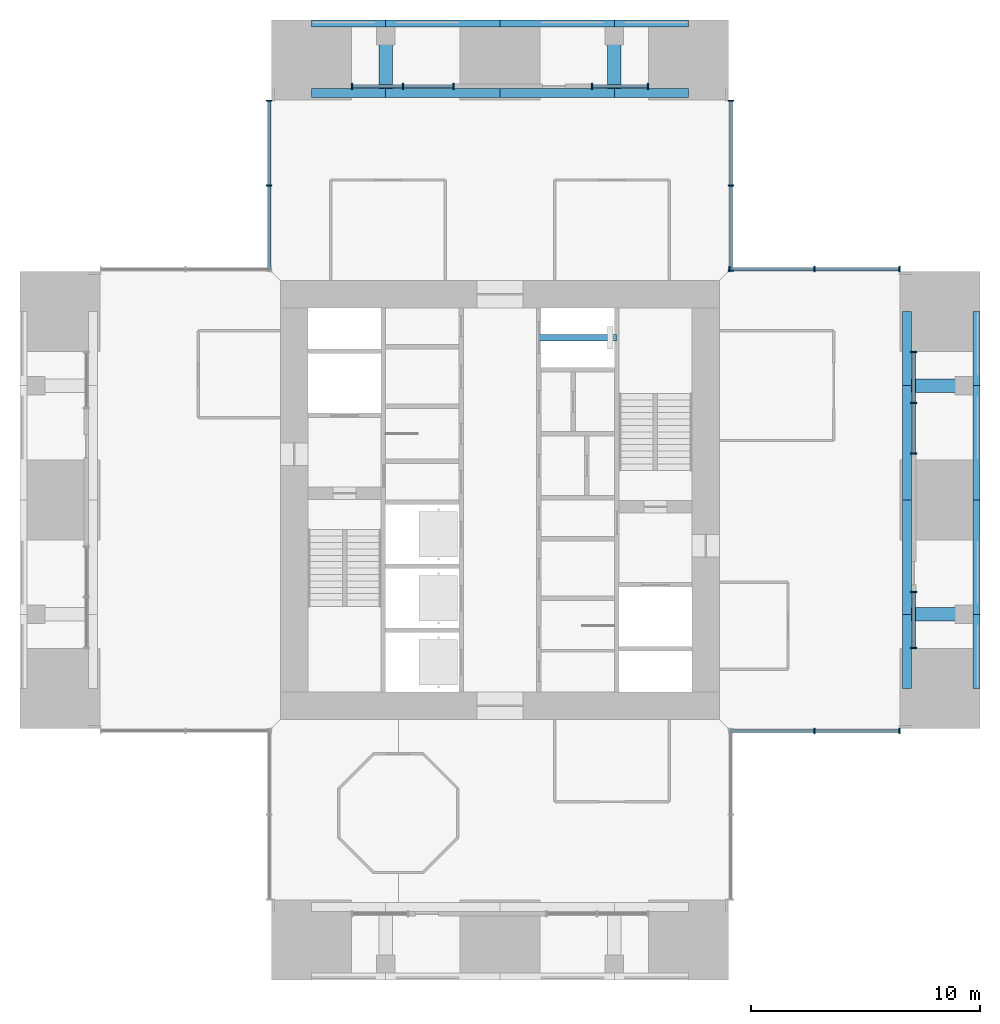
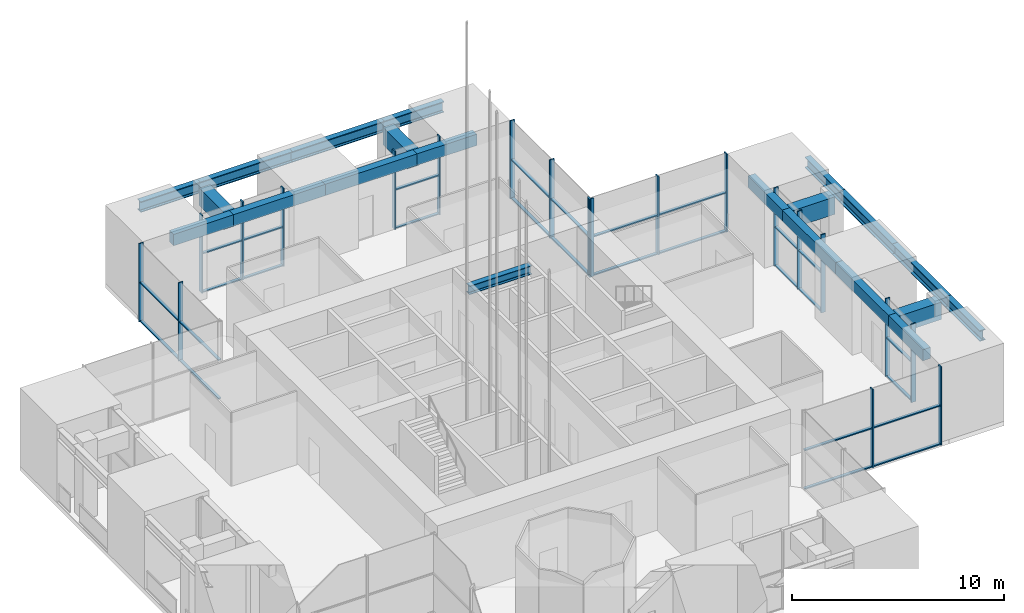
# One storey, part 3 of 17: 48 members, 21 beams, 8 elements without a shape of their own.
"""IFC4 building model written with IfcOpenShell, lengths in metres."""

from ifc_helpers import new_model, si_unit, direction, frame, origin, origin_2d, place, context, subcontext, project, spatial, rectangle, i_section, extrude, material, material_profile, profile_set, type_object, element, aggregate, save


model = new_model("IFC4")

# Units and contexts
model_context = context("Model", 3, precision=1e-05, world=origin(), true_north=direction((0.0, 1.0)))
body_context = subcontext(model_context, "Body", "Model", "MODEL_VIEW")
ifc_project = project(units=[si_unit("LENGTHUNIT", "METRE"), si_unit("AREAUNIT", "SQUARE_METRE"), si_unit("VOLUMEUNIT", "CUBIC_METRE"), si_unit("PLANEANGLEUNIT", "RADIAN"), si_unit("MASSUNIT", "GRAM", prefix="KILO")], contexts=[model_context])

# Site, building, storey
site_placement = place(None, origin())
site = spatial("IfcSite", under=ifc_project, at=site_placement, CompositionType="ELEMENT")
building_placement = place(site_placement, origin())
building = spatial("IfcBuilding", under=site, at=building_placement, Name="Svetlomir Tower", CompositionType="ELEMENT")
storey_placement = place(building_placement, frame((0.0, 0.0, 239.5)))
storey = spatial("IfcBuildingStorey", under=building, at=storey_placement, Name="L57", CompositionType="ELEMENT", Elevation=239.5)

# Curtain wall, members
ifc_material_1 = material(Name="Bronze anodised aluminium curtain wall", Category="aluminium")
curtain_wall_type = type_object("IfcCurtainWallType", Name="CURTAIN WALL CW2 SKY LOBBY", PredefinedType="NOTDEFINED", material=ifc_material_1)
curtain_wall_1_placement = place(storey_placement, origin())
curtain_wall_1 = element("IfcCurtainWall", 1, at=curtain_wall_1_placement, inside=storey, type_object=curtain_wall_type, Name="Curtain wall CW2 L57", PredefinedType="NOTDEFINED")
ifc_material_2 = material(Name="Bronze anodised aluminium", Category="aluminium")
ifc_material_profile_1 = material_profile(ifc_material_2, rectangle(XDim=0.06494140625, YDim=0.25, at=origin_2d()), Name="AL 65x250")
ifc_profile_set_1 = profile_set([ifc_material_profile_1], Name="Bronze anodised aluminium 6063-T6")
member_type_1 = type_object("IfcMemberType", Name="CW2 MULLION 65x250", PredefinedType="MULLION", material=ifc_profile_set_1)
member_1_placement = place(storey_placement, frame((34.75, 10.89990234375, 0.0), z_axis=(0.0, 0.0, 1.0), x_axis=(1.0, 0.0, 0.0)))
member_1 = element("IfcMember", 2, at=member_1_placement, type_object=member_type_1, Name="CW2 mullion 2", PredefinedType="MULLION", context=body_context, shape_type="SweptSolid", body=[
    extrude(rectangle(XDim=0.06494140625, YDim=0.25, at=origin_2d()), origin(), (0.0, 0.0, 1.0), 4.5),
])
member_2_placement = place(storey_placement, frame((38.467529296875, 10.89990234375, 0.0), z_axis=(0.0, 0.0, 1.0), x_axis=(1.0, 0.0, 0.0)))
member_2 = element("IfcMember", 3, at=member_2_placement, type_object=member_type_1, Name="CW2 mullion 3", PredefinedType="MULLION", context=body_context, shape_type="SweptSolid", body=[
    extrude(rectangle(XDim=0.06494140625, YDim=0.25, at=origin_2d()), origin(), (0.0, 0.0, 1.0), 4.5),
])

curtain_wall_2_placement = place(storey_placement, origin())
curtain_wall_2 = element("IfcCurtainWall", 4, at=curtain_wall_2_placement, inside=storey, type_object=curtain_wall_type, Name="Curtain wall CW2 L57", PredefinedType="NOTDEFINED")
member_3_placement = place(storey_placement, frame((39.10009765625, 14.532470703125, 0.0), z_axis=(0.0, 0.0, 1.0), x_axis=(0.0, 1.0, 0.0)))
member_3 = element("IfcMember", 5, at=member_3_placement, type_object=member_type_1, Name="CW2 mullion 1", PredefinedType="MULLION", context=body_context, shape_type="SweptSolid", body=[
    extrude(rectangle(XDim=0.06494140625, YDim=0.25, at=origin_2d()), origin(), (0.0, 0.0, 1.0), 4.5),
])
member_4_placement = place(storey_placement, frame((39.10009765625, 16.967529296875, 0.0), z_axis=(0.0, 0.0, 1.0), x_axis=(0.0, 1.0, 0.0)))
member_4 = element("IfcMember", 6, at=member_4_placement, type_object=member_type_1, Name="CW2 mullion 2", PredefinedType="MULLION", context=body_context, shape_type="SweptSolid", body=[
    extrude(rectangle(XDim=0.06494140625, YDim=0.25, at=origin_2d()), origin(), (0.0, 0.0, 1.0), 4.5),
])

curtain_wall_3_placement = place(storey_placement, origin())
curtain_wall_3 = element("IfcCurtainWall", 7, at=curtain_wall_3_placement, inside=storey, type_object=curtain_wall_type, Name="Curtain wall CW2 L57", PredefinedType="NOTDEFINED")
member_5_placement = place(storey_placement, frame((39.10009765625, 23.032470703125, 0.0), z_axis=(0.0, 0.0, 1.0), x_axis=(0.0, 1.0, 0.0)))
member_5 = element("IfcMember", 8, at=member_5_placement, type_object=member_type_1, Name="CW2 mullion 1", PredefinedType="MULLION", context=body_context, shape_type="SweptSolid", body=[
    extrude(rectangle(XDim=0.06494140625, YDim=0.25, at=origin_2d()), origin(), (0.0, 0.0, 1.0), 4.5),
])
member_6_placement = place(storey_placement, frame((39.10009765625, 25.25, 0.0), z_axis=(0.0, 0.0, 1.0), x_axis=(0.0, 1.0, 0.0)))
member_6 = element("IfcMember", 9, at=member_6_placement, type_object=member_type_1, Name="CW2 mullion 2", PredefinedType="MULLION", context=body_context, shape_type="SweptSolid", body=[
    extrude(rectangle(XDim=0.06494140625, YDim=0.25, at=origin_2d()), origin(), (0.0, 0.0, 1.0), 4.5),
])
member_7_placement = place(storey_placement, frame((39.10009765625, 27.467529296875, 0.0), z_axis=(0.0, 0.0, 1.0), x_axis=(0.0, 1.0, 0.0)))
member_7 = element("IfcMember", 10, at=member_7_placement, type_object=member_type_1, Name="CW2 mullion 3", PredefinedType="MULLION", context=body_context, shape_type="SweptSolid", body=[
    extrude(rectangle(XDim=0.06494140625, YDim=0.25, at=origin_2d()), origin(), (0.0, 0.0, 1.0), 4.5),
])

curtain_wall_4_placement = place(storey_placement, origin())
curtain_wall_4 = element("IfcCurtainWall", 11, at=curtain_wall_4_placement, inside=storey, type_object=curtain_wall_type, Name="Curtain wall CW2 L57", PredefinedType="NOTDEFINED")
member_8_placement = place(storey_placement, frame((38.467529296875, 31.10009765625, 0.0), z_axis=(0.0, 0.0, 1.0), x_axis=(-1.0, 0.0, 0.0)))
member_8 = element("IfcMember", 12, at=member_8_placement, type_object=member_type_1, Name="CW2 mullion 1", PredefinedType="MULLION", context=body_context, shape_type="SweptSolid", body=[
    extrude(rectangle(XDim=0.06494140625, YDim=0.25, at=origin_2d()), origin(), (0.0, 0.0, 1.0), 4.5),
])
member_9_placement = place(storey_placement, frame((34.75, 31.10009765625, 0.0), z_axis=(0.0, 0.0, 1.0), x_axis=(-1.0, 0.0, 0.0)))
member_9 = element("IfcMember", 13, at=member_9_placement, type_object=member_type_1, Name="CW2 mullion 2", PredefinedType="MULLION", context=body_context, shape_type="SweptSolid", body=[
    extrude(rectangle(XDim=0.06494140625, YDim=0.25, at=origin_2d()), origin(), (0.0, 0.0, 1.0), 4.5),
])
member_10_placement = place(storey_placement, frame((31.032470703125, 31.10009765625, 0.0), z_axis=(0.0, 0.0, 1.0), x_axis=(-1.0, 0.0, 0.0)))
member_10 = element("IfcMember", 14, at=member_10_placement, type_object=member_type_1, Name="CW2 mullion 3", PredefinedType="MULLION", context=body_context, shape_type="SweptSolid", body=[
    extrude(rectangle(XDim=0.06494140625, YDim=0.25, at=origin_2d()), origin(), (0.0, 0.0, 1.0), 4.5),
])

curtain_wall_5_placement = place(storey_placement, origin())
curtain_wall_5 = element("IfcCurtainWall", 15, at=curtain_wall_5_placement, inside=storey, type_object=curtain_wall_type, Name="Curtain wall CW2 L57", PredefinedType="NOTDEFINED")
member_11_placement = place(storey_placement, frame((31.10009765625, 31.032470703125, 0.0), z_axis=(0.0, 0.0, 1.0), x_axis=(0.0, 1.0, 0.0)))
member_11 = element("IfcMember", 16, at=member_11_placement, type_object=member_type_1, Name="CW2 mullion 1", PredefinedType="MULLION", context=body_context, shape_type="SweptSolid", body=[
    extrude(rectangle(XDim=0.06494140625, YDim=0.25, at=origin_2d()), origin(), (0.0, 0.0, 1.0), 4.5),
])
member_12_placement = place(storey_placement, frame((31.10009765625, 34.75, 0.0), z_axis=(0.0, 0.0, 1.0), x_axis=(0.0, 1.0, 0.0)))
member_12 = element("IfcMember", 17, at=member_12_placement, type_object=member_type_1, Name="CW2 mullion 2", PredefinedType="MULLION", context=body_context, shape_type="SweptSolid", body=[
    extrude(rectangle(XDim=0.06494140625, YDim=0.25, at=origin_2d()), origin(), (0.0, 0.0, 1.0), 4.5),
])
member_13_placement = place(storey_placement, frame((31.10009765625, 38.467529296875, 0.0), z_axis=(0.0, 0.0, 1.0), x_axis=(0.0, 1.0, 0.0)))
member_13 = element("IfcMember", 18, at=member_13_placement, type_object=member_type_1, Name="CW2 mullion 3", PredefinedType="MULLION", context=body_context, shape_type="SweptSolid", body=[
    extrude(rectangle(XDim=0.06494140625, YDim=0.25, at=origin_2d()), origin(), (0.0, 0.0, 1.0), 4.5),
])

curtain_wall_6_placement = place(storey_placement, origin())
curtain_wall_6 = element("IfcCurtainWall", 19, at=curtain_wall_6_placement, inside=storey, type_object=curtain_wall_type, Name="Curtain wall CW2 L57", PredefinedType="NOTDEFINED")
member_14_placement = place(storey_placement, frame((27.467529296875, 39.10009765625, 0.0), z_axis=(0.0, 0.0, 1.0), x_axis=(-1.0, 0.0, 0.0)))
member_14 = element("IfcMember", 20, at=member_14_placement, type_object=member_type_1, Name="CW2 mullion 1", PredefinedType="MULLION", context=body_context, shape_type="SweptSolid", body=[
    extrude(rectangle(XDim=0.06494140625, YDim=0.25, at=origin_2d()), origin(), (0.0, 0.0, 1.0), 4.5),
])
member_15_placement = place(storey_placement, frame((25.032470703125, 39.10009765625, 0.0), z_axis=(0.0, 0.0, 1.0), x_axis=(-1.0, 0.0, 0.0)))
member_15 = element("IfcMember", 21, at=member_15_placement, type_object=member_type_1, Name="CW2 mullion 2", PredefinedType="MULLION", context=body_context, shape_type="SweptSolid", body=[
    extrude(rectangle(XDim=0.06494140625, YDim=0.25, at=origin_2d()), origin(), (0.0, 0.0, 1.0), 4.5),
])

curtain_wall_7_placement = place(storey_placement, origin())
curtain_wall_7 = element("IfcCurtainWall", 22, at=curtain_wall_7_placement, inside=storey, type_object=curtain_wall_type, Name="Curtain wall CW2 L57", PredefinedType="NOTDEFINED")
member_16_placement = place(storey_placement, frame((18.967529296875, 39.10009765625, 0.0), z_axis=(0.0, 0.0, 1.0), x_axis=(-1.0, 0.0, 0.0)))
member_16 = element("IfcMember", 23, at=member_16_placement, type_object=member_type_1, Name="CW2 mullion 1", PredefinedType="MULLION", context=body_context, shape_type="SweptSolid", body=[
    extrude(rectangle(XDim=0.06494140625, YDim=0.25, at=origin_2d()), origin(), (0.0, 0.0, 1.0), 4.5),
])
member_17_placement = place(storey_placement, frame((16.75, 39.10009765625, 0.0), z_axis=(0.0, 0.0, 1.0), x_axis=(-1.0, 0.0, 0.0)))
member_17 = element("IfcMember", 24, at=member_17_placement, type_object=member_type_1, Name="CW2 mullion 2", PredefinedType="MULLION", context=body_context, shape_type="SweptSolid", body=[
    extrude(rectangle(XDim=0.06494140625, YDim=0.25, at=origin_2d()), origin(), (0.0, 0.0, 1.0), 4.5),
])
member_18_placement = place(storey_placement, frame((14.532470703125, 39.10009765625, 0.0), z_axis=(0.0, 0.0, 1.0), x_axis=(-1.0, 0.0, 0.0)))
member_18 = element("IfcMember", 25, at=member_18_placement, type_object=member_type_1, Name="CW2 mullion 3", PredefinedType="MULLION", context=body_context, shape_type="SweptSolid", body=[
    extrude(rectangle(XDim=0.06494140625, YDim=0.25, at=origin_2d()), origin(), (0.0, 0.0, 1.0), 4.5),
])

curtain_wall_8_placement = place(storey_placement, origin())
curtain_wall_8 = element("IfcCurtainWall", 26, at=curtain_wall_8_placement, inside=storey, type_object=curtain_wall_type, Name="Curtain wall CW2 L57", PredefinedType="NOTDEFINED")
member_19_placement = place(storey_placement, frame((10.89990234375, 38.467529296875, 0.0), z_axis=(0.0, 0.0, 1.0), x_axis=(0.0, -1.0, 0.0)))
member_19 = element("IfcMember", 27, at=member_19_placement, type_object=member_type_1, Name="CW2 mullion 1", PredefinedType="MULLION", context=body_context, shape_type="SweptSolid", body=[
    extrude(rectangle(XDim=0.06494140625, YDim=0.25, at=origin_2d()), origin(), (0.0, 0.0, 1.0), 4.5),
])
member_20_placement = place(storey_placement, frame((10.89990234375, 34.75, 0.0), z_axis=(0.0, 0.0, 1.0), x_axis=(0.0, -1.0, 0.0)))
member_20 = element("IfcMember", 28, at=member_20_placement, type_object=member_type_1, Name="CW2 mullion 2", PredefinedType="MULLION", context=body_context, shape_type="SweptSolid", body=[
    extrude(rectangle(XDim=0.06494140625, YDim=0.25, at=origin_2d()), origin(), (0.0, 0.0, 1.0), 4.5),
])

# Member
ifc_material_3 = material(Name="Bronze anodised aluminium", Category="aluminium")
ifc_material_profile_2 = material_profile(ifc_material_3, rectangle(XDim=0.159912109375, YDim=0.06494140625, at=origin_2d()), Name="AL 160x65")
ifc_profile_set_2 = profile_set([ifc_material_profile_2], Name="Bronze anodised aluminium 6063-T6")
member_type_2 = type_object("IfcMemberType", Name="CW2 TRANSOM 65x160", PredefinedType="USERDEFINED", material=ifc_profile_set_2)
member_21_placement = place(storey_placement, frame((31.06494140625, 10.89990234375, 0.032470703125), z_axis=(1.0, 0.0, 0.0), x_axis=(0.0, 1.0, 0.0)))
member_21 = element("IfcMember", 29, at=member_21_placement, type_object=member_type_2, Name="CW2 transom 1.1", ObjectType="TRANSOM", PredefinedType="USERDEFINED", context=body_context, shape_type="SweptSolid", body=[
    extrude(rectangle(XDim=0.159912109375, YDim=0.06494140625, at=origin_2d()), origin(), (0.0, 0.0, 1.0), 3.652587890625),
])

member_22_placement = place(storey_placement, frame((31.06494140625, 10.89990234375, 2.25), z_axis=(1.0, 0.0, 0.0), x_axis=(0.0, 1.0, 0.0)))
member_22 = element("IfcMember", 30, at=member_22_placement, type_object=member_type_2, Name="CW2 transom 1.2", ObjectType="TRANSOM", PredefinedType="USERDEFINED", context=body_context, shape_type="SweptSolid", body=[
    extrude(rectangle(XDim=0.159912109375, YDim=0.06494140625, at=origin_2d()), origin(), (0.0, 0.0, 1.0), 3.652587890625),
])

member_23_placement = place(storey_placement, frame((34.782470703125, 10.89990234375, 0.032470703125), z_axis=(1.0, 0.0, 0.0), x_axis=(0.0, 1.0, 0.0)))
member_23 = element("IfcMember", 31, at=member_23_placement, type_object=member_type_2, Name="CW2 transom 2.1", ObjectType="TRANSOM", PredefinedType="USERDEFINED", context=body_context, shape_type="SweptSolid", body=[
    extrude(rectangle(XDim=0.159912109375, YDim=0.06494140625, at=origin_2d()), origin(), (0.0, 0.0, 1.0), 3.652587890625),
])

member_24_placement = place(storey_placement, frame((34.782470703125, 10.89990234375, 2.25), z_axis=(1.0, 0.0, 0.0), x_axis=(0.0, 1.0, 0.0)))
member_24 = element("IfcMember", 32, at=member_24_placement, type_object=member_type_2, Name="CW2 transom 2.2", ObjectType="TRANSOM", PredefinedType="USERDEFINED", context=body_context, shape_type="SweptSolid", body=[
    extrude(rectangle(XDim=0.159912109375, YDim=0.06494140625, at=origin_2d()), origin(), (0.0, 0.0, 1.0), 3.652587890625),
])

aggregate(curtain_wall_1, [member_1, member_2, member_21, member_22, member_23, member_24])

member_25_placement = place(storey_placement, frame((39.10009765625, 14.56494140625, 0.032470703125), z_axis=(0.0, 1.0, 0.0), x_axis=(-1.0, 0.0, 0.0)))
member_25 = element("IfcMember", 33, at=member_25_placement, type_object=member_type_2, Name="CW2 transom 1.1", ObjectType="TRANSOM", PredefinedType="USERDEFINED", context=body_context, shape_type="SweptSolid", body=[
    extrude(rectangle(XDim=0.159912109375, YDim=0.06494140625, at=origin_2d()), origin(), (0.0, 0.0, 1.0), 2.3701171875),
])

member_26_placement = place(storey_placement, frame((39.10009765625, 14.56494140625, 2.25), z_axis=(0.0, 1.0, 0.0), x_axis=(-1.0, 0.0, 0.0)))
member_26 = element("IfcMember", 34, at=member_26_placement, type_object=member_type_2, Name="CW2 transom 1.2", ObjectType="TRANSOM", PredefinedType="USERDEFINED", context=body_context, shape_type="SweptSolid", body=[
    extrude(rectangle(XDim=0.159912109375, YDim=0.06494140625, at=origin_2d()), origin(), (0.0, 0.0, 1.0), 2.3701171875),
])

aggregate(curtain_wall_2, [member_3, member_4, member_25, member_26])

member_27_placement = place(storey_placement, frame((39.10009765625, 23.06494140625, 0.032470703125), z_axis=(0.0, 1.0, 0.0), x_axis=(-1.0, 0.0, 0.0)))
member_27 = element("IfcMember", 35, at=member_27_placement, type_object=member_type_2, Name="CW2 transom 1.1", ObjectType="TRANSOM", PredefinedType="USERDEFINED", context=body_context, shape_type="SweptSolid", body=[
    extrude(rectangle(XDim=0.159912109375, YDim=0.06494140625, at=origin_2d()), origin(), (0.0, 0.0, 1.0), 2.152587890625),
])

member_28_placement = place(storey_placement, frame((39.10009765625, 23.06494140625, 2.25), z_axis=(0.0, 1.0, 0.0), x_axis=(-1.0, 0.0, 0.0)))
member_28 = element("IfcMember", 36, at=member_28_placement, type_object=member_type_2, Name="CW2 transom 1.2", ObjectType="TRANSOM", PredefinedType="USERDEFINED", context=body_context, shape_type="SweptSolid", body=[
    extrude(rectangle(XDim=0.159912109375, YDim=0.06494140625, at=origin_2d()), origin(), (0.0, 0.0, 1.0), 2.152587890625),
])

member_29_placement = place(storey_placement, frame((39.10009765625, 25.282470703125, 0.032470703125), z_axis=(0.0, 1.0, 0.0), x_axis=(-1.0, 0.0, 0.0)))
member_29 = element("IfcMember", 37, at=member_29_placement, type_object=member_type_2, Name="CW2 transom 2.1", ObjectType="TRANSOM", PredefinedType="USERDEFINED", context=body_context, shape_type="SweptSolid", body=[
    extrude(rectangle(XDim=0.159912109375, YDim=0.06494140625, at=origin_2d()), origin(), (0.0, 0.0, 1.0), 2.152587890625),
])

member_30_placement = place(storey_placement, frame((39.10009765625, 25.282470703125, 2.25), z_axis=(0.0, 1.0, 0.0), x_axis=(-1.0, 0.0, 0.0)))
member_30 = element("IfcMember", 38, at=member_30_placement, type_object=member_type_2, Name="CW2 transom 2.2", ObjectType="TRANSOM", PredefinedType="USERDEFINED", context=body_context, shape_type="SweptSolid", body=[
    extrude(rectangle(XDim=0.159912109375, YDim=0.06494140625, at=origin_2d()), origin(), (0.0, 0.0, 1.0), 2.152587890625),
])

aggregate(curtain_wall_3, [member_5, member_6, member_7, member_27, member_28, member_29, member_30])

member_31_placement = place(storey_placement, frame((38.43505859375, 31.10009765625, 0.032470703125), z_axis=(-1.0, 0.0, 0.0), x_axis=(0.0, -1.0, 0.0)))
member_31 = element("IfcMember", 39, at=member_31_placement, type_object=member_type_2, Name="CW2 transom 1.1", ObjectType="TRANSOM", PredefinedType="USERDEFINED", context=body_context, shape_type="SweptSolid", body=[
    extrude(rectangle(XDim=0.159912109375, YDim=0.06494140625, at=origin_2d()), origin(), (0.0, 0.0, 1.0), 3.652587890625),
])

member_32_placement = place(storey_placement, frame((38.43505859375, 31.10009765625, 2.25), z_axis=(-1.0, 0.0, 0.0), x_axis=(0.0, -1.0, 0.0)))
member_32 = element("IfcMember", 40, at=member_32_placement, type_object=member_type_2, Name="CW2 transom 1.2", ObjectType="TRANSOM", PredefinedType="USERDEFINED", context=body_context, shape_type="SweptSolid", body=[
    extrude(rectangle(XDim=0.159912109375, YDim=0.06494140625, at=origin_2d()), origin(), (0.0, 0.0, 1.0), 3.652587890625),
])

member_33_placement = place(storey_placement, frame((34.717529296875, 31.10009765625, 0.032470703125), z_axis=(-1.0, 0.0, 0.0), x_axis=(0.0, -1.0, 0.0)))
member_33 = element("IfcMember", 41, at=member_33_placement, type_object=member_type_2, Name="CW2 transom 2.1", ObjectType="TRANSOM", PredefinedType="USERDEFINED", context=body_context, shape_type="SweptSolid", body=[
    extrude(rectangle(XDim=0.159912109375, YDim=0.06494140625, at=origin_2d()), origin(), (0.0, 0.0, 1.0), 3.652587890625),
])

member_34_placement = place(storey_placement, frame((34.717529296875, 31.10009765625, 2.25), z_axis=(-1.0, 0.0, 0.0), x_axis=(0.0, -1.0, 0.0)))
member_34 = element("IfcMember", 42, at=member_34_placement, type_object=member_type_2, Name="CW2 transom 2.2", ObjectType="TRANSOM", PredefinedType="USERDEFINED", context=body_context, shape_type="SweptSolid", body=[
    extrude(rectangle(XDim=0.159912109375, YDim=0.06494140625, at=origin_2d()), origin(), (0.0, 0.0, 1.0), 3.652587890625),
])

aggregate(curtain_wall_4, [member_8, member_9, member_10, member_31, member_32, member_33, member_34])

member_35_placement = place(storey_placement, frame((31.10009765625, 31.06494140625, 0.032470703125), z_axis=(0.0, 1.0, 0.0), x_axis=(-1.0, 0.0, 0.0)))
member_35 = element("IfcMember", 43, at=member_35_placement, type_object=member_type_2, Name="CW2 transom 1.1", ObjectType="TRANSOM", PredefinedType="USERDEFINED", context=body_context, shape_type="SweptSolid", body=[
    extrude(rectangle(XDim=0.159912109375, YDim=0.06494140625, at=origin_2d()), origin(), (0.0, 0.0, 1.0), 3.652587890625),
])

member_36_placement = place(storey_placement, frame((31.10009765625, 31.06494140625, 2.25), z_axis=(0.0, 1.0, 0.0), x_axis=(-1.0, 0.0, 0.0)))
member_36 = element("IfcMember", 44, at=member_36_placement, type_object=member_type_2, Name="CW2 transom 1.2", ObjectType="TRANSOM", PredefinedType="USERDEFINED", context=body_context, shape_type="SweptSolid", body=[
    extrude(rectangle(XDim=0.159912109375, YDim=0.06494140625, at=origin_2d()), origin(), (0.0, 0.0, 1.0), 3.652587890625),
])

member_37_placement = place(storey_placement, frame((31.10009765625, 34.782470703125, 0.032470703125), z_axis=(0.0, 1.0, 0.0), x_axis=(-1.0, 0.0, 0.0)))
member_37 = element("IfcMember", 45, at=member_37_placement, type_object=member_type_2, Name="CW2 transom 2.1", ObjectType="TRANSOM", PredefinedType="USERDEFINED", context=body_context, shape_type="SweptSolid", body=[
    extrude(rectangle(XDim=0.159912109375, YDim=0.06494140625, at=origin_2d()), origin(), (0.0, 0.0, 1.0), 3.652587890625),
])

member_38_placement = place(storey_placement, frame((31.10009765625, 34.782470703125, 2.25), z_axis=(0.0, 1.0, 0.0), x_axis=(-1.0, 0.0, 0.0)))
member_38 = element("IfcMember", 46, at=member_38_placement, type_object=member_type_2, Name="CW2 transom 2.2", ObjectType="TRANSOM", PredefinedType="USERDEFINED", context=body_context, shape_type="SweptSolid", body=[
    extrude(rectangle(XDim=0.159912109375, YDim=0.06494140625, at=origin_2d()), origin(), (0.0, 0.0, 1.0), 3.652587890625),
])

aggregate(curtain_wall_5, [member_11, member_12, member_13, member_35, member_36, member_37, member_38])

member_39_placement = place(storey_placement, frame((27.43505859375, 39.10009765625, 0.032470703125), z_axis=(-1.0, 0.0, 0.0), x_axis=(0.0, -1.0, 0.0)))
member_39 = element("IfcMember", 47, at=member_39_placement, type_object=member_type_2, Name="CW2 transom 1.1", ObjectType="TRANSOM", PredefinedType="USERDEFINED", context=body_context, shape_type="SweptSolid", body=[
    extrude(rectangle(XDim=0.159912109375, YDim=0.06494140625, at=origin_2d()), origin(), (0.0, 0.0, 1.0), 2.3701171875),
])

member_40_placement = place(storey_placement, frame((27.43505859375, 39.10009765625, 2.25), z_axis=(-1.0, 0.0, 0.0), x_axis=(0.0, -1.0, 0.0)))
member_40 = element("IfcMember", 48, at=member_40_placement, type_object=member_type_2, Name="CW2 transom 1.2", ObjectType="TRANSOM", PredefinedType="USERDEFINED", context=body_context, shape_type="SweptSolid", body=[
    extrude(rectangle(XDim=0.159912109375, YDim=0.06494140625, at=origin_2d()), origin(), (0.0, 0.0, 1.0), 2.3701171875),
])

aggregate(curtain_wall_6, [member_14, member_15, member_39, member_40])

member_41_placement = place(storey_placement, frame((18.93505859375, 39.10009765625, 0.032470703125), z_axis=(-1.0, 0.0, 0.0), x_axis=(0.0, -1.0, 0.0)))
member_41 = element("IfcMember", 49, at=member_41_placement, type_object=member_type_2, Name="CW2 transom 1.1", ObjectType="TRANSOM", PredefinedType="USERDEFINED", context=body_context, shape_type="SweptSolid", body=[
    extrude(rectangle(XDim=0.159912109375, YDim=0.06494140625, at=origin_2d()), origin(), (0.0, 0.0, 1.0), 2.152587890625),
])

member_42_placement = place(storey_placement, frame((18.93505859375, 39.10009765625, 2.25), z_axis=(-1.0, 0.0, 0.0), x_axis=(0.0, -1.0, 0.0)))
member_42 = element("IfcMember", 50, at=member_42_placement, type_object=member_type_2, Name="CW2 transom 1.2", ObjectType="TRANSOM", PredefinedType="USERDEFINED", context=body_context, shape_type="SweptSolid", body=[
    extrude(rectangle(XDim=0.159912109375, YDim=0.06494140625, at=origin_2d()), origin(), (0.0, 0.0, 1.0), 2.152587890625),
])

member_43_placement = place(storey_placement, frame((16.717529296875, 39.10009765625, 0.032470703125), z_axis=(-1.0, 0.0, 0.0), x_axis=(0.0, -1.0, 0.0)))
member_43 = element("IfcMember", 51, at=member_43_placement, type_object=member_type_2, Name="CW2 transom 2.1", ObjectType="TRANSOM", PredefinedType="USERDEFINED", context=body_context, shape_type="SweptSolid", body=[
    extrude(rectangle(XDim=0.159912109375, YDim=0.06494140625, at=origin_2d()), origin(), (0.0, 0.0, 1.0), 2.152587890625),
])

member_44_placement = place(storey_placement, frame((16.717529296875, 39.10009765625, 2.25), z_axis=(-1.0, 0.0, 0.0), x_axis=(0.0, -1.0, 0.0)))
member_44 = element("IfcMember", 52, at=member_44_placement, type_object=member_type_2, Name="CW2 transom 2.2", ObjectType="TRANSOM", PredefinedType="USERDEFINED", context=body_context, shape_type="SweptSolid", body=[
    extrude(rectangle(XDim=0.159912109375, YDim=0.06494140625, at=origin_2d()), origin(), (0.0, 0.0, 1.0), 2.152587890625),
])

aggregate(curtain_wall_7, [member_16, member_17, member_18, member_41, member_42, member_43, member_44])

member_45_placement = place(storey_placement, frame((10.89990234375, 38.43505859375, 0.032470703125), z_axis=(0.0, -1.0, 0.0), x_axis=(1.0, 0.0, 0.0)))
member_45 = element("IfcMember", 53, at=member_45_placement, type_object=member_type_2, Name="CW2 transom 1.1", ObjectType="TRANSOM", PredefinedType="USERDEFINED", context=body_context, shape_type="SweptSolid", body=[
    extrude(rectangle(XDim=0.159912109375, YDim=0.06494140625, at=origin_2d()), origin(), (0.0, 0.0, 1.0), 3.652587890625),
])

member_46_placement = place(storey_placement, frame((10.89990234375, 38.43505859375, 2.25), z_axis=(0.0, -1.0, 0.0), x_axis=(1.0, 0.0, 0.0)))
member_46 = element("IfcMember", 54, at=member_46_placement, type_object=member_type_2, Name="CW2 transom 1.2", ObjectType="TRANSOM", PredefinedType="USERDEFINED", context=body_context, shape_type="SweptSolid", body=[
    extrude(rectangle(XDim=0.159912109375, YDim=0.06494140625, at=origin_2d()), origin(), (0.0, 0.0, 1.0), 3.652587890625),
])

member_47_placement = place(storey_placement, frame((10.89990234375, 34.717529296875, 0.032470703125), z_axis=(0.0, -1.0, 0.0), x_axis=(1.0, 0.0, 0.0)))
member_47 = element("IfcMember", 55, at=member_47_placement, type_object=member_type_2, Name="CW2 transom 2.1", ObjectType="TRANSOM", PredefinedType="USERDEFINED", context=body_context, shape_type="SweptSolid", body=[
    extrude(rectangle(XDim=0.159912109375, YDim=0.06494140625, at=origin_2d()), origin(), (0.0, 0.0, 1.0), 3.652587890625),
])

member_48_placement = place(storey_placement, frame((10.89990234375, 34.717529296875, 2.25), z_axis=(0.0, -1.0, 0.0), x_axis=(1.0, 0.0, 0.0)))
member_48 = element("IfcMember", 56, at=member_48_placement, type_object=member_type_2, Name="CW2 transom 2.2", ObjectType="TRANSOM", PredefinedType="USERDEFINED", context=body_context, shape_type="SweptSolid", body=[
    extrude(rectangle(XDim=0.159912109375, YDim=0.06494140625, at=origin_2d()), origin(), (0.0, 0.0, 1.0), 3.652587890625),
])

aggregate(curtain_wall_8, [member_19, member_20, member_45, member_46, member_47, member_48])

# Beams
ifc_material_4 = material(Name="Steel S355", Category="steel")
ifc_material_profile_3 = material_profile(ifc_material_4, i_section(OverallWidth=0.304931640625, OverallDepth=0.6201171875, WebThickness=0.02099609375, FlangeThickness=0.0400390625, FilletRadius=0.027099609375, at=origin_2d()), Name="HEM 600")
ifc_profile_set_3 = profile_set([ifc_material_profile_3], Name="Steel S355")
beam_type_1 = type_object("IfcBeamType", Name="EDGE BEAM HEM 600", PredefinedType="SPANDREL", material=ifc_profile_set_3)
for number, where, z_axis, x_axis, name in (
    (57, (41.847412109375, 12.75, 3.93994140625), (0.0, 1.0, 0.0), (-1.0, 0.0, 0.0), "Edge beam 42/11 to 42/16 under L58"),
    (58, (12.75, 41.847412109375, 3.93994140625), (1.0, 0.0, 0.0), (0.0, 1.0, 0.0), "Edge beam 11/42 to 16/42 under L58"),
):
    element("IfcBeam", number, at=place(storey_placement, frame(where, z_axis=z_axis, x_axis=x_axis)), inside=storey, type_object=beam_type_1, Name=name, PredefinedType="SPANDREL", context=body_context, shape_type="SweptSolid", body=[
        extrude(i_section(OverallWidth=0.304931640625, OverallDepth=0.6201171875, WebThickness=0.02099609375, FlangeThickness=0.0400390625, FilletRadius=0.027099609375, at=origin_2d()), origin(), (0.0, 0.0, 1.0), 3.25),
    ])
for number, where, z_axis, x_axis, name in (
    (59, (41.847412109375, 16.0, 3.93994140625), (0.0, 1.0, 0.0), (-1.0, 0.0, 0.0), "Edge beam 42/16 to 42/21 under L58"),
    (60, (16.0, 41.847412109375, 3.93994140625), (1.0, 0.0, 0.0), (0.0, 1.0, 0.0), "Edge beam 16/42 to 21/42 under L58"),
    (61, (41.847412109375, 21.0, 3.93994140625), (0.0, 1.0, 0.0), (-1.0, 0.0, 0.0), "Edge beam 42/21 to 42/26 under L58"),
    (62, (21.0, 41.847412109375, 3.93994140625), (1.0, 0.0, 0.0), (0.0, 1.0, 0.0), "Edge beam 21/42 to 26/42 under L58"),
):
    element("IfcBeam", number, at=place(storey_placement, frame(where, z_axis=z_axis, x_axis=x_axis)), inside=storey, type_object=beam_type_1, Name=name, PredefinedType="SPANDREL", context=body_context, shape_type="SweptSolid", body=[
        extrude(i_section(OverallWidth=0.304931640625, OverallDepth=0.6201171875, WebThickness=0.02099609375, FlangeThickness=0.0400390625, FilletRadius=0.027099609375, at=origin_2d()), origin(), (0.0, 0.0, 1.0), 5.0),
    ])
for number, where, z_axis, x_axis, name in (
    (63, (41.847412109375, 26.0, 3.93994140625), (0.0, 1.0, 0.0), (-1.0, 0.0, 0.0), "Edge beam 42/26 to 42/31 under L58"),
    (64, (26.0, 41.847412109375, 3.93994140625), (1.0, 0.0, 0.0), (0.0, 1.0, 0.0), "Edge beam 26/42 to 31/42 under L58"),
):
    element("IfcBeam", number, at=place(storey_placement, frame(where, z_axis=z_axis, x_axis=x_axis)), inside=storey, type_object=beam_type_1, Name=name, PredefinedType="SPANDREL", context=body_context, shape_type="SweptSolid", body=[
        extrude(i_section(OverallWidth=0.304931640625, OverallDepth=0.6201171875, WebThickness=0.02099609375, FlangeThickness=0.0400390625, FilletRadius=0.027099609375, at=origin_2d()), origin(), (0.0, 0.0, 1.0), 3.25),
    ])
ifc_material_5 = material(Name="Concrete C60/75", Category="concrete")
ifc_material_profile_4 = material_profile(ifc_material_5, rectangle(XDim=0.39990234375, YDim=0.64990234375, at=origin_2d()), Name="RC 400x650")
ifc_profile_set_4 = profile_set([ifc_material_profile_4], Name="Concrete C60/75")
beam_type_2 = type_object("IfcBeamType", Name="FACADE EDGE BEAM RC 400x650", PredefinedType="BEAM", material=ifc_profile_set_4)
beam_1_placement = place(storey_placement, frame((12.75, 38.800048828125, 3.925048828125), z_axis=(1.0, 0.0, 0.0), x_axis=(0.0, 1.0, 0.0)))
element("IfcBeam", 65, at=beam_1_placement, inside=storey, type_object=beam_type_2, Name="Facade edge beam N 11 to 16 under L58", PredefinedType="BEAM", context=body_context, shape_type="SweptSolid", body=[
    extrude(rectangle(XDim=0.39990234375, YDim=0.64990234375, at=origin_2d()), origin(), (0.0, 0.0, 1.0), 3.25),
])
for number, where, z_axis, x_axis, name in (
    (66, (16.0, 38.800048828125, 3.925048828125), (1.0, 0.0, 0.0), (0.0, 1.0, 0.0), "Facade edge beam N 16 to 21 under L58"),
    (67, (21.0, 38.800048828125, 3.925048828125), (1.0, 0.0, 0.0), (0.0, 1.0, 0.0), "Facade edge beam N 21 to 26 under L58"),
):
    element("IfcBeam", number, at=place(storey_placement, frame(where, z_axis=z_axis, x_axis=x_axis)), inside=storey, type_object=beam_type_2, Name=name, PredefinedType="BEAM", context=body_context, shape_type="SweptSolid", body=[
        extrude(rectangle(XDim=0.39990234375, YDim=0.64990234375, at=origin_2d()), origin(), (0.0, 0.0, 1.0), 5.0),
    ])
for number, where, z_axis, x_axis, name in (
    (68, (26.0, 38.800048828125, 3.925048828125), (1.0, 0.0, 0.0), (0.0, 1.0, 0.0), "Facade edge beam N 26 to 31 under L58"),
    (69, (38.800048828125, 12.75, 3.925048828125), (0.0, 1.0, 0.0), (-1.0, 0.0, 0.0), "Facade edge beam E 11 to 16 under L58"),
):
    element("IfcBeam", number, at=place(storey_placement, frame(where, z_axis=z_axis, x_axis=x_axis)), inside=storey, type_object=beam_type_2, Name=name, PredefinedType="BEAM", context=body_context, shape_type="SweptSolid", body=[
        extrude(rectangle(XDim=0.39990234375, YDim=0.64990234375, at=origin_2d()), origin(), (0.0, 0.0, 1.0), 3.25),
    ])
for number, where, z_axis, x_axis, name in (
    (70, (38.800048828125, 16.0, 3.925048828125), (0.0, 1.0, 0.0), (-1.0, 0.0, 0.0), "Facade edge beam E 16 to 21 under L58"),
    (71, (38.800048828125, 21.0, 3.925048828125), (0.0, 1.0, 0.0), (-1.0, 0.0, 0.0), "Facade edge beam E 21 to 26 under L58"),
):
    element("IfcBeam", number, at=place(storey_placement, frame(where, z_axis=z_axis, x_axis=x_axis)), inside=storey, type_object=beam_type_2, Name=name, PredefinedType="BEAM", context=body_context, shape_type="SweptSolid", body=[
        extrude(rectangle(XDim=0.39990234375, YDim=0.64990234375, at=origin_2d()), origin(), (0.0, 0.0, 1.0), 5.0),
    ])
beam_2_placement = place(storey_placement, frame((38.800048828125, 26.0, 3.925048828125), z_axis=(0.0, 1.0, 0.0), x_axis=(-1.0, 0.0, 0.0)))
element("IfcBeam", 72, at=beam_2_placement, inside=storey, type_object=beam_type_2, Name="Facade edge beam E 26 to 31 under L58", PredefinedType="BEAM", context=body_context, shape_type="SweptSolid", body=[
    extrude(rectangle(XDim=0.39990234375, YDim=0.64990234375, at=origin_2d()), origin(), (0.0, 0.0, 1.0), 3.25),
])
ifc_material_6 = material(Name="Steel S355", Category="steel")
ifc_material_profile_5 = material_profile(ifc_material_6, i_section(OverallWidth=0.300048828125, OverallDepth=0.5, WebThickness=0.014404296875, FlangeThickness=0.028076171875, FilletRadius=0.027099609375, at=origin_2d()), Name="HEB 500")
ifc_profile_set_5 = profile_set([ifc_material_profile_5], Name="Steel S355")
beam_type_3 = type_object("IfcBeamType", Name="LIFTING BEAM HEB 500", PredefinedType="BEAM", material=ifc_profile_set_5)
beam_3_placement = place(storey_placement, frame((22.699951171875, 28.10009765625, 4.0), z_axis=(1.0, 0.0, 0.0), x_axis=(0.0, 1.0, 0.0)))
element("IfcBeam", 73, at=beam_3_placement, inside=storey, type_object=beam_type_3, Name="Lifting beam over shaft BANK-E3", PredefinedType="BEAM", context=body_context, shape_type="SweptSolid", body=[
    extrude(i_section(OverallWidth=0.300048828125, OverallDepth=0.5, WebThickness=0.014404296875, FlangeThickness=0.028076171875, FilletRadius=0.027099609375, at=origin_2d()), origin(), (0.0, 0.0, 1.0), 3.400146484375),
])
ifc_material_7 = material(Name="Concrete C60/75", Category="concrete")
ifc_material_profile_6 = material_profile(ifc_material_7, rectangle(XDim=0.60009765625, YDim=1.0, at=origin_2d()), Name="RC 600x1000")
ifc_profile_set_6 = profile_set([ifc_material_profile_6], Name="Concrete C60/75")
beam_type_4 = type_object("IfcBeamType", Name="LOGGIA LINK BEAM RC 600x1000", PredefinedType="BEAM", material=ifc_profile_set_6)
for number, where, z_axis, x_axis, name in (
    (74, (16.0, 41.300048828125, 3.75), (0.0, -1.0, 0.0), (1.0, 0.0, 0.0), "Loggia link beam N 16 under L58"),
    (75, (26.0, 41.300048828125, 3.75), (0.0, -1.0, 0.0), (1.0, 0.0, 0.0), "Loggia link beam N 26 under L58"),
    (76, (41.300048828125, 16.0, 3.75), (-1.0, 0.0, 0.0), (0.0, -1.0, 0.0), "Loggia link beam E 16 under L58"),
    (77, (41.300048828125, 26.0, 3.75), (-1.0, 0.0, 0.0), (0.0, -1.0, 0.0), "Loggia link beam E 26 under L58"),
):
    element("IfcBeam", number, at=place(storey_placement, frame(where, z_axis=z_axis, x_axis=x_axis)), inside=storey, type_object=beam_type_4, Name=name, PredefinedType="BEAM", context=body_context, shape_type="SweptSolid", body=[
        extrude(rectangle(XDim=0.60009765625, YDim=1.0, at=origin_2d()), origin(), (0.0, 0.0, 1.0), 2.300048828125),
    ])

save(model, "model.ifc")
